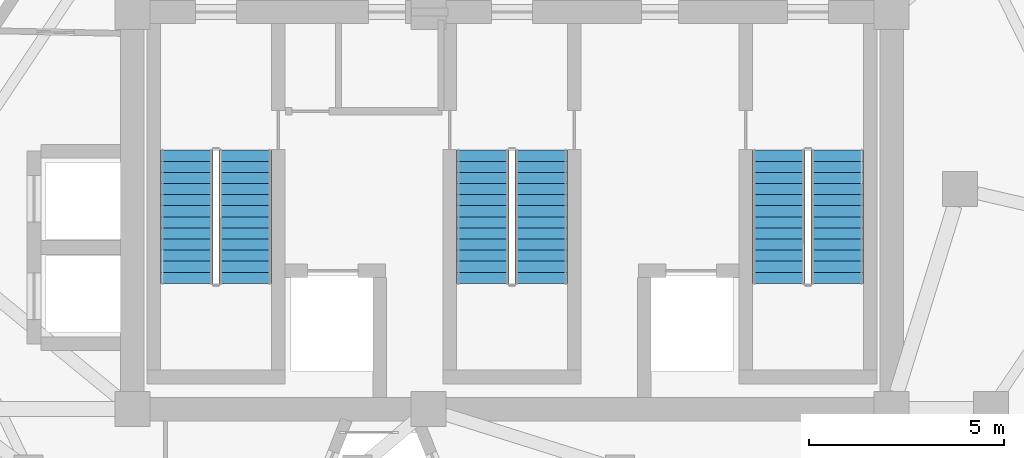
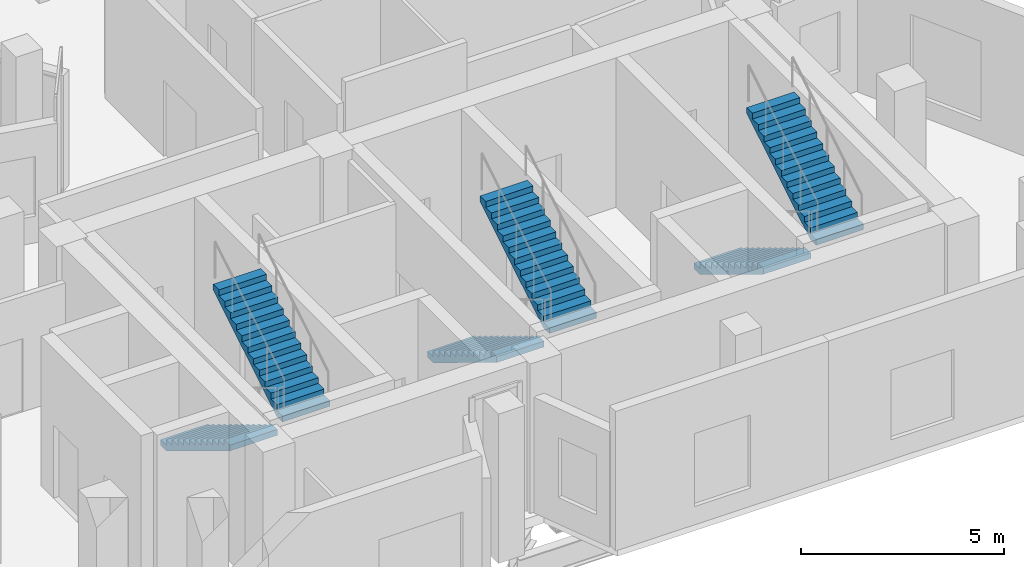
# One storey, part 7 of 8: 6 stair flights, 3 elements without a shape of their own.
"""IFC4 building model written with IfcOpenShell, lengths in metres."""

from ifc_helpers import new_model, si_unit, direction, frame, origin, place, context, subcontext, project, spatial, polyline, outline, extrude, material, type_object, element, aggregate, save


model = new_model("IFC4")

# Units and contexts
model_context = context("Model", 3, precision=1e-05, world=origin(), true_north=direction((0.0, 1.0)))
body_context = subcontext(model_context, "Body", "Model", "MODEL_VIEW")
ifc_project = project(units=[si_unit("LENGTHUNIT", "METRE"), si_unit("AREAUNIT", "SQUARE_METRE"), si_unit("VOLUMEUNIT", "CUBIC_METRE"), si_unit("PLANEANGLEUNIT", "RADIAN"), si_unit("MASSUNIT", "GRAM", prefix="KILO")], contexts=[model_context])

# Site, building, storey
site_placement = place(None, origin())
site = spatial("IfcSite", under=ifc_project, at=site_placement, CompositionType="ELEMENT")
building_placement = place(site_placement, origin())
building = spatial("IfcBuilding", under=site, at=building_placement, Name="Almagre Mirador Tower", CompositionType="ELEMENT")
storey_placement = place(building_placement, frame((0.0, 0.0, 294.0)))
storey = spatial("IfcBuildingStorey", under=building, at=storey_placement, Name="L76", CompositionType="ELEMENT", Elevation=294.0)

# Stair, stair flights
ifc_material_1 = material(Name="Concrete C45/55", Category="concrete")
stair_type = type_object("IfcStairType", Name="STR-DL-4500", PredefinedType="HALF_TURN_STAIR", material=ifc_material_1)
stair_1_placement = place(storey_placement, origin())
stair_1 = element("IfcStair", 1, at=stair_1_placement, inside=storey, type_object=stair_type, Name="L76 Protected exit stair ST-1", PredefinedType="HALF_TURN_STAIR")
ifc_material_2 = material(Name="Concrete C45/55", Category="concrete")
stair_flight_type = type_object("IfcStairFlightType", Name="FLT-DL-4500", PredefinedType="STRAIGHT", material=ifc_material_2)
stair_flight_1_placement = place(storey_placement, frame((28.949951171875, 11.199951171875, 0.0), z_axis=(0.0, 0.0, 1.0), x_axis=(0.0, -1.0, 0.0)))
stair_flight_1 = element("IfcStairFlight", 2, at=stair_flight_1_placement, type_object=stair_flight_type, Name="ST-1 flight 1", NumberOfRisers=13, NumberOfTreads=12, PredefinedType="STRAIGHT", RiserHeight=0.173076923, TreadLength=0.285, context=body_context, shape_type="SweptSolid", body=[
    extrude(outline(polyline([(0.0, 0.0), (0.0, 0.173095703125), (0.284912109375, 0.173095703125), (0.284912109375, 0.34619140625), (0.570068359375, 0.34619140625), (0.570068359375, 0.519287109375), (0.85498046875, 0.519287109375), (0.85498046875, 0.6923828125), (1.139892578125, 0.6923828125), (1.139892578125, 0.865478515625), (1.425048828125, 0.865478515625), (1.425048828125, 1.03857421875), (1.7099609375, 1.03857421875), (1.7099609375, 1.21142578125), (1.9951171875, 1.21142578125), (1.9951171875, 1.384521484375), (2.280029296875, 1.384521484375), (2.280029296875, 1.5576171875), (2.56494140625, 1.5576171875), (2.56494140625, 1.730712890625), (2.85009765625, 1.730712890625), (2.85009765625, 1.90380859375), (3.135009765625, 1.90380859375), (3.135009765625, 2.076904296875), (3.419921875, 2.076904296875), (3.419921875, 2.25), (3.419921875, 1.901611328125), (0.288818359375, 0.0), (0.0, 0.0)])), frame((0.0, 0.675048828125, 0.0), z_axis=(0.0, -1.0, 0.0), x_axis=(1.0, 0.0, 0.0)), (0.0, 0.0, 1.0), 1.35009765625),
])
stair_flight_2_placement = place(storey_placement, frame((30.449951171875, 7.780029296875, 2.25), z_axis=(0.0, 0.0, 1.0), x_axis=(0.0, 1.0, 0.0)))
stair_flight_2 = element("IfcStairFlight", 3, at=stair_flight_2_placement, type_object=stair_flight_type, Name="ST-1 flight 2", NumberOfRisers=13, NumberOfTreads=12, PredefinedType="STRAIGHT", RiserHeight=0.173076923, TreadLength=0.285, context=body_context, shape_type="SweptSolid", body=[
    extrude(outline(polyline([(0.0, 0.0), (0.0, 0.173095703125), (0.284912109375, 0.173095703125), (0.284912109375, 0.34619140625), (0.570068359375, 0.34619140625), (0.570068359375, 0.519287109375), (0.85498046875, 0.519287109375), (0.85498046875, 0.6923828125), (1.139892578125, 0.6923828125), (1.139892578125, 0.865478515625), (1.425048828125, 0.865478515625), (1.425048828125, 1.03857421875), (1.7099609375, 1.03857421875), (1.7099609375, 1.21142578125), (1.9951171875, 1.21142578125), (1.9951171875, 1.384521484375), (2.280029296875, 1.384521484375), (2.280029296875, 1.5576171875), (2.56494140625, 1.5576171875), (2.56494140625, 1.730712890625), (2.85009765625, 1.730712890625), (2.85009765625, 1.90380859375), (3.135009765625, 1.90380859375), (3.135009765625, 2.076904296875), (3.419921875, 2.076904296875), (3.419921875, 2.25), (3.419921875, 1.901611328125), (0.288818359375, 0.0), (0.0, 0.0)])), frame((0.0, 0.675048828125, 0.0), z_axis=(0.0, -1.0, 0.0), x_axis=(1.0, 0.0, 0.0)), (0.0, 0.0, 1.0), 1.35009765625),
])
aggregate(stair_1, [stair_flight_1, stair_flight_2])

stair_2_placement = place(storey_placement, origin())
stair_2 = element("IfcStair", 4, at=stair_2_placement, inside=storey, type_object=stair_type, Name="L76 Protected exit stair ST-2", PredefinedType="HALF_TURN_STAIR")
stair_flight_3_placement = place(storey_placement, frame((36.550048828125, 11.199951171875, 0.0), z_axis=(0.0, 0.0, 1.0), x_axis=(0.0, -1.0, 0.0)))
stair_flight_3 = element("IfcStairFlight", 5, at=stair_flight_3_placement, type_object=stair_flight_type, Name="ST-2 flight 1", NumberOfRisers=13, NumberOfTreads=12, PredefinedType="STRAIGHT", RiserHeight=0.173076923, TreadLength=0.285, context=body_context, shape_type="SweptSolid", body=[
    extrude(outline(polyline([(0.0, 0.0), (0.0, 0.173095703125), (0.284912109375, 0.173095703125), (0.284912109375, 0.34619140625), (0.570068359375, 0.34619140625), (0.570068359375, 0.519287109375), (0.85498046875, 0.519287109375), (0.85498046875, 0.6923828125), (1.139892578125, 0.6923828125), (1.139892578125, 0.865478515625), (1.425048828125, 0.865478515625), (1.425048828125, 1.03857421875), (1.7099609375, 1.03857421875), (1.7099609375, 1.21142578125), (1.9951171875, 1.21142578125), (1.9951171875, 1.384521484375), (2.280029296875, 1.384521484375), (2.280029296875, 1.5576171875), (2.56494140625, 1.5576171875), (2.56494140625, 1.730712890625), (2.85009765625, 1.730712890625), (2.85009765625, 1.90380859375), (3.135009765625, 1.90380859375), (3.135009765625, 2.076904296875), (3.419921875, 2.076904296875), (3.419921875, 2.25), (3.419921875, 1.901611328125), (0.288818359375, 0.0), (0.0, 0.0)])), frame((0.0, 0.675048828125, 0.0), z_axis=(0.0, -1.0, 0.0), x_axis=(1.0, 0.0, 0.0)), (0.0, 0.0, 1.0), 1.35009765625),
])
stair_flight_4_placement = place(storey_placement, frame((38.050048828125, 7.780029296875, 2.25), z_axis=(0.0, 0.0, 1.0), x_axis=(0.0, 1.0, 0.0)))
stair_flight_4 = element("IfcStairFlight", 6, at=stair_flight_4_placement, type_object=stair_flight_type, Name="ST-2 flight 2", NumberOfRisers=13, NumberOfTreads=12, PredefinedType="STRAIGHT", RiserHeight=0.173076923, TreadLength=0.285, context=body_context, shape_type="SweptSolid", body=[
    extrude(outline(polyline([(0.0, 0.0), (0.0, 0.173095703125), (0.284912109375, 0.173095703125), (0.284912109375, 0.34619140625), (0.570068359375, 0.34619140625), (0.570068359375, 0.519287109375), (0.85498046875, 0.519287109375), (0.85498046875, 0.6923828125), (1.139892578125, 0.6923828125), (1.139892578125, 0.865478515625), (1.425048828125, 0.865478515625), (1.425048828125, 1.03857421875), (1.7099609375, 1.03857421875), (1.7099609375, 1.21142578125), (1.9951171875, 1.21142578125), (1.9951171875, 1.384521484375), (2.280029296875, 1.384521484375), (2.280029296875, 1.5576171875), (2.56494140625, 1.5576171875), (2.56494140625, 1.730712890625), (2.85009765625, 1.730712890625), (2.85009765625, 1.90380859375), (3.135009765625, 1.90380859375), (3.135009765625, 2.076904296875), (3.419921875, 2.076904296875), (3.419921875, 2.25), (3.419921875, 1.901611328125), (0.288818359375, 0.0), (0.0, 0.0)])), frame((0.0, 0.675048828125, 0.0), z_axis=(0.0, -1.0, 0.0), x_axis=(1.0, 0.0, 0.0)), (0.0, 0.0, 1.0), 1.35009765625),
])
aggregate(stair_2, [stair_flight_3, stair_flight_4])

stair_3_placement = place(storey_placement, origin())
stair_3 = element("IfcStair", 7, at=stair_3_placement, inside=storey, type_object=stair_type, Name="L76 Protected exit stair ST-3", PredefinedType="HALF_TURN_STAIR")
stair_flight_5_placement = place(storey_placement, frame((44.14990234375, 11.199951171875, 0.0), z_axis=(0.0, 0.0, 1.0), x_axis=(0.0, -1.0, 0.0)))
stair_flight_5 = element("IfcStairFlight", 8, at=stair_flight_5_placement, type_object=stair_flight_type, Name="ST-3 flight 1", NumberOfRisers=13, NumberOfTreads=12, PredefinedType="STRAIGHT", RiserHeight=0.173076923, TreadLength=0.285, context=body_context, shape_type="SweptSolid", body=[
    extrude(outline(polyline([(0.0, 0.0), (0.0, 0.173095703125), (0.284912109375, 0.173095703125), (0.284912109375, 0.34619140625), (0.570068359375, 0.34619140625), (0.570068359375, 0.519287109375), (0.85498046875, 0.519287109375), (0.85498046875, 0.6923828125), (1.139892578125, 0.6923828125), (1.139892578125, 0.865478515625), (1.425048828125, 0.865478515625), (1.425048828125, 1.03857421875), (1.7099609375, 1.03857421875), (1.7099609375, 1.21142578125), (1.9951171875, 1.21142578125), (1.9951171875, 1.384521484375), (2.280029296875, 1.384521484375), (2.280029296875, 1.5576171875), (2.56494140625, 1.5576171875), (2.56494140625, 1.730712890625), (2.85009765625, 1.730712890625), (2.85009765625, 1.90380859375), (3.135009765625, 1.90380859375), (3.135009765625, 2.076904296875), (3.419921875, 2.076904296875), (3.419921875, 2.25), (3.419921875, 1.901611328125), (0.288818359375, 0.0), (0.0, 0.0)])), frame((0.0, 0.675048828125, 0.0), z_axis=(0.0, -1.0, 0.0), x_axis=(1.0, 0.0, 0.0)), (0.0, 0.0, 1.0), 1.35009765625),
])
stair_flight_6_placement = place(storey_placement, frame((45.64990234375, 7.780029296875, 2.25), z_axis=(0.0, 0.0, 1.0), x_axis=(0.0, 1.0, 0.0)))
stair_flight_6 = element("IfcStairFlight", 9, at=stair_flight_6_placement, type_object=stair_flight_type, Name="ST-3 flight 2", NumberOfRisers=13, NumberOfTreads=12, PredefinedType="STRAIGHT", RiserHeight=0.173076923, TreadLength=0.285, context=body_context, shape_type="SweptSolid", body=[
    extrude(outline(polyline([(0.0, 0.0), (0.0, 0.173095703125), (0.284912109375, 0.173095703125), (0.284912109375, 0.34619140625), (0.570068359375, 0.34619140625), (0.570068359375, 0.519287109375), (0.85498046875, 0.519287109375), (0.85498046875, 0.6923828125), (1.139892578125, 0.6923828125), (1.139892578125, 0.865478515625), (1.425048828125, 0.865478515625), (1.425048828125, 1.03857421875), (1.7099609375, 1.03857421875), (1.7099609375, 1.21142578125), (1.9951171875, 1.21142578125), (1.9951171875, 1.384521484375), (2.280029296875, 1.384521484375), (2.280029296875, 1.5576171875), (2.56494140625, 1.5576171875), (2.56494140625, 1.730712890625), (2.85009765625, 1.730712890625), (2.85009765625, 1.90380859375), (3.135009765625, 1.90380859375), (3.135009765625, 2.076904296875), (3.419921875, 2.076904296875), (3.419921875, 2.25), (3.419921875, 1.901611328125), (0.288818359375, 0.0), (0.0, 0.0)])), frame((0.0, 0.675048828125, 0.0), z_axis=(0.0, -1.0, 0.0), x_axis=(1.0, 0.0, 0.0)), (0.0, 0.0, 1.0), 1.35009765625),
])
aggregate(stair_3, [stair_flight_5, stair_flight_6])

save(model, "model.ifc")
